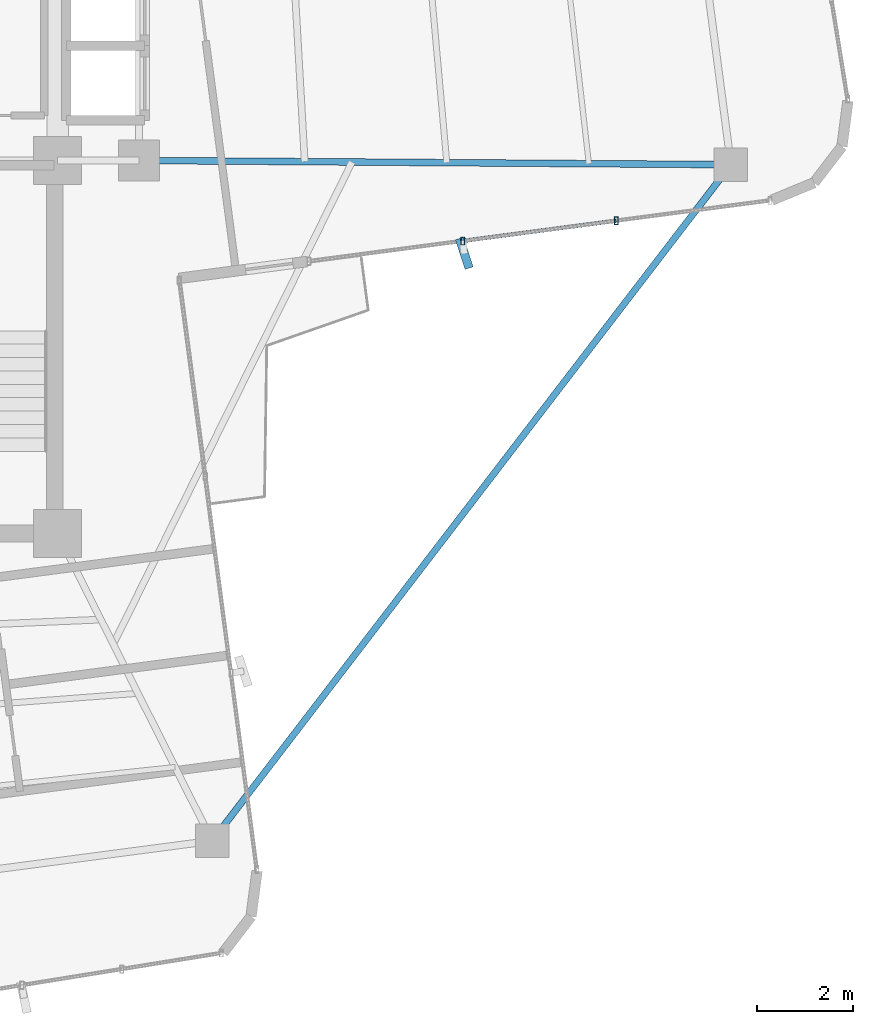
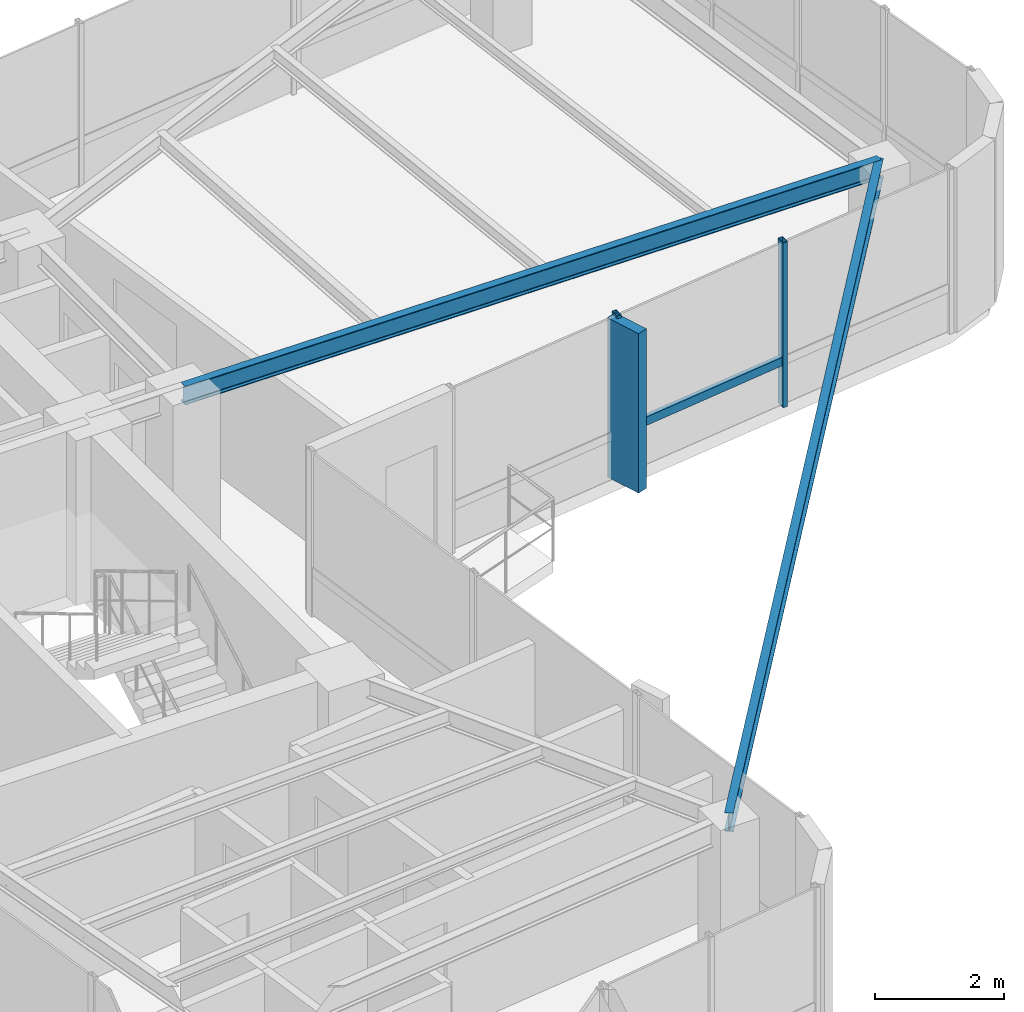
# One storey, part 11 of 21: 4 members, 2 beams, 1 element without a shape of its own.
"""IFC4 building model written with IfcOpenShell, lengths in metres."""

from ifc_helpers import new_model, si_unit, direction, frame, origin, origin_2d, place, context, subcontext, project, spatial, rectangle, hollow_rectangle, i_section, extrude, source, transform, mapped, material, material_profile, profile_set, type_object, element, aggregate, save


model = new_model("IFC4")

# Units and contexts
model_context = context("Model", 3, precision=1e-05, world=origin(), true_north=direction((0.0, 1.0)))
body_context = subcontext(model_context, "Body", "Model", "MODEL_VIEW")
ifc_project = project(units=[si_unit("LENGTHUNIT", "METRE"), si_unit("AREAUNIT", "SQUARE_METRE"), si_unit("VOLUMEUNIT", "CUBIC_METRE"), si_unit("PLANEANGLEUNIT", "RADIAN"), si_unit("MASSUNIT", "GRAM", prefix="KILO")], contexts=[model_context])

# Site, building, storey
site_placement = place(None, origin())
site = spatial("IfcSite", under=ifc_project, at=site_placement, CompositionType="ELEMENT")
building_placement = place(site_placement, origin())
building = spatial("IfcBuilding", under=site, at=building_placement, Name="Sahyath Konkavel Grand Hotel", CompositionType="ELEMENT")
storey_placement = place(building_placement, frame((0.0, 0.0, 213.199951171875)))
storey = spatial("IfcBuildingStorey", under=building, at=storey_placement, Name="L59", CompositionType="ELEMENT", Elevation=213.199951171875)

# Beams
ifc_material_1 = material(Name="Steel E350", Category="steel")
ifc_material_profile_1 = material_profile(ifc_material_1, i_section(OverallWidth=0.139892578125, OverallDepth=0.35009765625, WebThickness=0.008056640625, FlangeThickness=0.01416015625, FilletRadius=0.013916015625, at=origin_2d()), Name="ISMB 350")
ifc_profile_set_1 = profile_set([ifc_material_profile_1], Name="Steel E350")
beam_type = type_object("IfcBeamType", Name="BM-ISMB350", PredefinedType="BEAM", material=ifc_profile_set_1)
shared_shape_1 = source(origin(), body_context, "Body", "SweptSolid", [
    extrude(i_section(OverallWidth=0.139892578125, OverallDepth=0.35009765625, WebThickness=0.008056640625, FlangeThickness=0.01416015625, FilletRadius=0.013916015625, at=origin_2d()), origin(), (0.0, 0.0, 1.0), 12.3779296875),
])
beam_1_placement = place(storey_placement, frame((5.5, -2.39990234375, 2.93505859375), z_axis=(0.999974790757, -0.007100552766, 0.0), x_axis=(0.007100552766, 0.999974790757, 0.0)))
element("IfcBeam", 1, at=beam_1_placement, inside=storey, type_object=beam_type, Name="L59 Cruciform Radial Girder EA", PredefinedType="BEAM", context=body_context, shape_type="MappedRepresentation", body=[
    mapped(shared_shape_1, transform((0.0, 0.0, 0.0), scale=1.0)),
])
shared_shape_2 = source(origin(), body_context, "Body", "SweptSolid", [
    extrude(i_section(OverallWidth=0.139892578125, OverallDepth=0.35009765625, WebThickness=0.008056640625, FlangeThickness=0.01416015625, FilletRadius=0.013916015625, at=origin_2d()), origin(), (0.0, 0.0, 1.0), 17.819091796875),
])
beam_2_placement = place(storey_placement, frame((17.877685546875, -2.48779296875, 2.93505859375), z_axis=(-0.608767449027, -0.793348720932, 0.0), x_axis=(0.793348720932, -0.608767449027, 0.0)))
element("IfcBeam", 2, at=beam_2_placement, inside=storey, type_object=beam_type, Name="L59 Re-Entrant Tie Beam SE", PredefinedType="BEAM", context=body_context, shape_type="MappedRepresentation", body=[
    mapped(shared_shape_2, transform((0.0, 0.0, 0.0), scale=1.0)),
])

# Curtain wall, members
ifc_material_2 = material(Name="Anodised Bronze Aluminium & Low-E Glazing", Category="aluminium")
curtain_wall_type = type_object("IfcCurtainWallType", Name="CW-ZONE4", PredefinedType="NOTDEFINED", material=ifc_material_2)
curtain_wall_placement = place(storey_placement, origin())
curtain_wall = element("IfcCurtainWall", 3, at=curtain_wall_placement, inside=storey, type_object=curtain_wall_type, Name="L59 Unitised Curtain Wall F0", PredefinedType="NOTDEFINED")
ifc_material_3 = material(Name="Warm Buff Sandstone Cladding on Concrete C50/60", Category="masonry")
ifc_material_profile_2 = material_profile(ifc_material_3, rectangle(XDim=0.179931640625, YDim=0.64990234375, at=origin_2d()), Name="FIN 180x650")
ifc_profile_set_2 = profile_set([ifc_material_profile_2], Name="Warm Buff Sandstone Cladding on Concrete C50/60")
member_type_1 = type_object("IfcMemberType", Name="FIN-SANDSTONE-650", PredefinedType="MULLION", material=ifc_profile_set_2)
shared_shape_3 = source(origin(), body_context, "Body", "SweptSolid", [
    extrude(rectangle(XDim=0.179931640625, YDim=0.64990234375, at=origin_2d()), origin(), (0.0, 0.0, 1.0), 3.010009765625),
])
member_1_placement = place(storey_placement, frame((12.302001953125, -4.341552734375, 0.050048828125), z_axis=(0.0, 0.0, 1.0), x_axis=(0.951272019071, 0.30835295642, 0.0)))
member_1 = element("IfcMember", 4, at=member_1_placement, type_object=member_type_1, Name="L59 Sandstone Vertical Solar Fin FIN F0-1", PredefinedType="MULLION", context=body_context, shape_type="MappedRepresentation", body=[
    mapped(shared_shape_3, transform((0.0, 0.0, 0.0), scale=1.0)),
])
ifc_material_4 = material(Name="Anodised Bronze Aluminium", Category="aluminium")
ifc_material_profile_3 = material_profile(ifc_material_4, hollow_rectangle(XDim=0.080078125, YDim=0.159912109375, WallThickness=0.006103515625, at=origin_2d()), Name="RHS 160x80x6")
ifc_profile_set_3 = profile_set([ifc_material_profile_3], Name="Anodised Bronze Aluminium")
member_type_2 = type_object("IfcMemberType", Name="CW-MUL-160", PredefinedType="MULLION", material=ifc_profile_set_3)
shared_shape_4 = source(origin(), body_context, "Body", "SweptSolid", [
    extrude(hollow_rectangle(XDim=0.080078125, YDim=0.159912109375, WallThickness=0.006103515625, at=origin_2d()), origin(), (0.0, 0.0, 1.0), 3.110107421875),
])
member_2_placement = place(storey_placement, frame((12.26806640625, -4.083740234375, 0.0), z_axis=(0.0, 0.0, 1.0), x_axis=(1.0, 0.0, 0.0)))
member_2 = element("IfcMember", 5, at=member_2_placement, type_object=member_type_2, Name="L59 Curtain Wall Mullion F0-1", PredefinedType="MULLION", context=body_context, shape_type="MappedRepresentation", body=[
    mapped(shared_shape_4, transform((0.0, 0.0, 0.0), scale=1.0)),
])
member_3_placement = place(storey_placement, frame((15.480224609375, -3.66064453125, 0.0), z_axis=(0.0, 0.0, 1.0), x_axis=(1.0, 0.0, 0.0)))
member_3 = element("IfcMember", 6, at=member_3_placement, type_object=member_type_2, Name="L59 Curtain Wall Mullion F0-2", PredefinedType="MULLION", context=body_context, shape_type="MappedRepresentation", body=[
    mapped(shared_shape_4, transform((0.0, 0.0, 0.0), scale=1.0)),
])
ifc_material_profile_4 = material_profile(ifc_material_4, hollow_rectangle(XDim=0.080078125, YDim=0.159912109375, WallThickness=0.006103515625, at=origin_2d()), Name="RHS 160x80x6")
ifc_profile_set_4 = profile_set([ifc_material_profile_4], Name="Anodised Bronze Aluminium")
member_type_3 = type_object("IfcMemberType", Name="CW-TRN-160", PredefinedType="USERDEFINED", material=ifc_profile_set_4)
shared_shape_5 = source(origin(), body_context, "Body", "SweptSolid", [
    extrude(hollow_rectangle(XDim=0.080078125, YDim=0.159912109375, WallThickness=0.006103515625, at=origin_2d()), origin(), (0.0, 0.0, 1.0), 3.239990234375),
])
member_4_placement = place(storey_placement, frame((12.26806640625, -4.083740234375, 0.85009765625), z_axis=(0.991436589187, 0.130589010341, 0.0), x_axis=(-0.130589010341, 0.991436589187, 0.0)))
member_4 = element("IfcMember", 7, at=member_4_placement, type_object=member_type_3, Name="L59 Curtain Wall Transom F0-1-spandrel", ObjectType="TRANSOM", PredefinedType="USERDEFINED", context=body_context, shape_type="MappedRepresentation", body=[
    mapped(shared_shape_5, transform((0.0, 0.0, 0.0), scale=1.0)),
])
aggregate(curtain_wall, [member_2, member_1, member_3, member_4])

save(model, "model.ifc")
